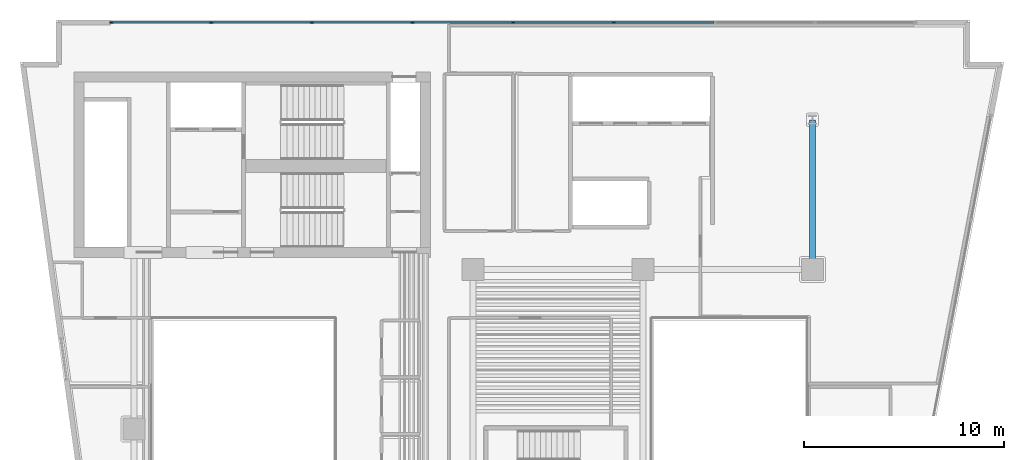
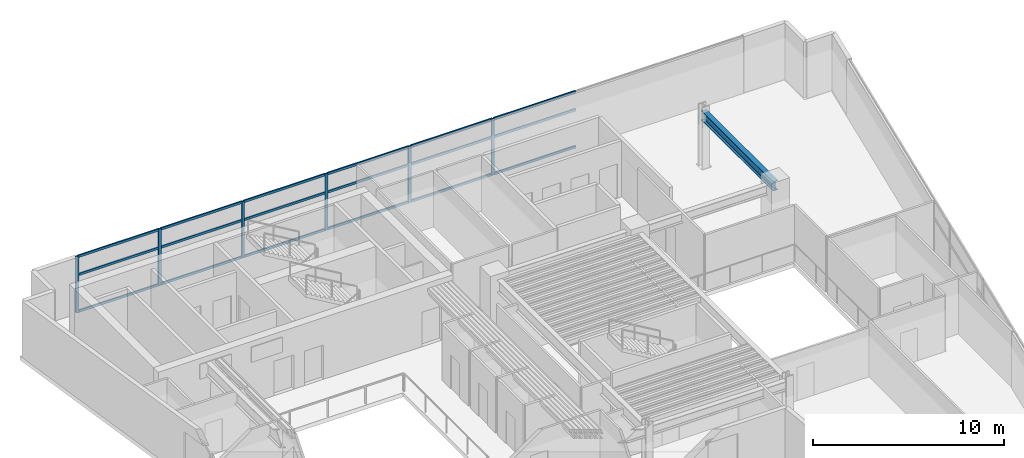
# One storey, part 4 of 14: 24 members, 1 beam, 1 element without a shape of its own.
"""IFC4 building model written with IfcOpenShell, lengths in metres."""

from ifc_helpers import new_model, si_unit, direction, frame, origin, origin_2d, place, context, subcontext, project, spatial, rectangle, i_section, extrude, material, layer, layer_set, material_profile, profile_set, type_object, element, aggregate, save


model = new_model("IFC4")

# Units and contexts
model_context = context("Model", 3, precision=1e-05, world=origin(), true_north=direction((0.0, 1.0)))
body_context = subcontext(model_context, "Body", "Model", "MODEL_VIEW")
ifc_project = project(units=[si_unit("LENGTHUNIT", "METRE"), si_unit("AREAUNIT", "SQUARE_METRE"), si_unit("VOLUMEUNIT", "CUBIC_METRE"), si_unit("PLANEANGLEUNIT", "RADIAN"), si_unit("MASSUNIT", "GRAM", prefix="KILO")], contexts=[model_context])

# Site, building, storey
site_placement = place(None, origin())
site = spatial("IfcSite", under=ifc_project, at=site_placement, CompositionType="ELEMENT")
building_placement = place(site_placement, origin())
building = spatial("IfcBuilding", under=site, at=building_placement, Name="Caeloran Harvest Quay", CompositionType="ELEMENT")
storey_placement = place(building_placement, frame((0.0, 0.0, 174.60009765625)))
storey = spatial("IfcBuildingStorey", under=building, at=storey_placement, Name="L41", CompositionType="ELEMENT", Elevation=174.60009765625)

# Beam
ifc_material_1 = material(Name="Steel S355J2", Category="steel")
ifc_material_profile_1 = material_profile(ifc_material_1, i_section(OverallWidth=0.300048828125, OverallDepth=0.60009765625, WebThickness=0.015380859375, FlangeThickness=0.030029296875, FilletRadius=0.027099609375, at=origin_2d()), Name="HE 600 B")
ifc_profile_set_1 = profile_set([ifc_material_profile_1], Name="Steel S355J2")
beam_type = type_object("IfcBeamType", Name="BM-PG-3-HE_600_B", PredefinedType="BEAM", material=ifc_profile_set_1)
beam_placement = place(storey_placement, frame((42.5, 31.0, 3.2998046875), z_axis=(0.0, 1.0, 0.0), x_axis=(-1.0, 0.0, 0.0)))
element("IfcBeam", 1, at=beam_placement, inside=storey, type_object=beam_type, Name="L41 Primary North-South Girder X=42.5", PredefinedType="BEAM", context=body_context, shape_type="SweptSolid", body=[
    extrude(i_section(OverallWidth=0.300048828125, OverallDepth=0.60009765625, WebThickness=0.015380859375, FlangeThickness=0.030029296875, FilletRadius=0.027099609375, at=origin_2d()), origin(), (0.0, 0.0, 1.0), 7.5),
])

# Curtain wall, members
ifc_material_2 = material(Name="Aluminium 6063-T6 and Low-E Glazing", Category="aluminium")
ifc_layer = layer(ifc_material_2, 0.22998046875, Name="Aluminium 6063-T6 and Low-E Glazing")
ifc_layer_set = layer_set([ifc_layer], Name="Aluminium 6063-T6 and Low-E Glazing")
curtain_wall_type = type_object("IfcCurtainWallType", Name="CW-SYS-CW-6", PredefinedType="USERDEFINED", material=ifc_layer_set)
curtain_wall_placement = place(storey_placement, origin())
curtain_wall = element("IfcCurtainWall", 2, at=curtain_wall_placement, inside=storey, type_object=curtain_wall_type, Name="L41 Unitised Curtain Wall CW-6 Run 6", ObjectType="CURTAIN_WALL", PredefinedType="USERDEFINED")
ifc_material_3 = material(Name="Aluminium 6063-T6", Category="aluminium")
ifc_material_profile_2 = material_profile(ifc_material_3, rectangle(XDim=0.080078125, YDim=0.179931640625, at=origin_2d()), Name="CW-MULLION-180")
ifc_profile_set_2 = profile_set([ifc_material_profile_2], Name="Aluminium 6063-T6")
member_type_1 = type_object("IfcMemberType", Name="CW-MULLION-180", PredefinedType="MULLION", material=ifc_profile_set_2)
member_1_placement = place(storey_placement, frame((7.3701171875, 43.3701171875, 0.0), z_axis=(0.0, 0.0, 1.0), x_axis=(0.0, 1.0, 0.0)))
member_1 = element("IfcMember", 3, at=member_1_placement, type_object=member_type_1, Name="CW-6 mullion 1", PredefinedType="MULLION", context=body_context, shape_type="SweptSolid", body=[
    extrude(rectangle(XDim=0.080078125, YDim=0.179931640625, at=origin_2d()), origin(), (0.0, 0.0, 1.0), 3.599853515625),
])
member_2_placement = place(storey_placement, frame((12.37255859375, 43.3701171875, 0.0), z_axis=(0.0, 0.0, 1.0), x_axis=(0.0, 1.0, 0.0)))
member_2 = element("IfcMember", 4, at=member_2_placement, type_object=member_type_1, Name="CW-6 mullion 2", PredefinedType="MULLION", context=body_context, shape_type="SweptSolid", body=[
    extrude(rectangle(XDim=0.080078125, YDim=0.179931640625, at=origin_2d()), origin(), (0.0, 0.0, 1.0), 3.599853515625),
])
member_3_placement = place(storey_placement, frame((17.4150390625, 43.3701171875, 0.0), z_axis=(0.0, 0.0, 1.0), x_axis=(0.0, 1.0, 0.0)))
member_3 = element("IfcMember", 5, at=member_3_placement, type_object=member_type_1, Name="CW-6 mullion 3", PredefinedType="MULLION", context=body_context, shape_type="SweptSolid", body=[
    extrude(rectangle(XDim=0.080078125, YDim=0.179931640625, at=origin_2d()), origin(), (0.0, 0.0, 1.0), 3.599853515625),
])
member_4_placement = place(storey_placement, frame((22.45751953125, 43.3701171875, 0.0), z_axis=(0.0, 0.0, 1.0), x_axis=(0.0, 1.0, 0.0)))
member_4 = element("IfcMember", 6, at=member_4_placement, type_object=member_type_1, Name="CW-6 mullion 4", PredefinedType="MULLION", context=body_context, shape_type="SweptSolid", body=[
    extrude(rectangle(XDim=0.080078125, YDim=0.179931640625, at=origin_2d()), origin(), (0.0, 0.0, 1.0), 3.599853515625),
])
member_5_placement = place(storey_placement, frame((27.5, 43.3701171875, 0.0), z_axis=(0.0, 0.0, 1.0), x_axis=(0.0, 1.0, 0.0)))
member_5 = element("IfcMember", 7, at=member_5_placement, type_object=member_type_1, Name="CW-6 mullion 5", PredefinedType="MULLION", context=body_context, shape_type="SweptSolid", body=[
    extrude(rectangle(XDim=0.080078125, YDim=0.179931640625, at=origin_2d()), origin(), (0.0, 0.0, 1.0), 3.599853515625),
])
member_6_placement = place(storey_placement, frame((32.54248046875, 43.3701171875, 0.0), z_axis=(0.0, 0.0, 1.0), x_axis=(0.0, 1.0, 0.0)))
member_6 = element("IfcMember", 8, at=member_6_placement, type_object=member_type_1, Name="CW-6 mullion 6", PredefinedType="MULLION", context=body_context, shape_type="SweptSolid", body=[
    extrude(rectangle(XDim=0.080078125, YDim=0.179931640625, at=origin_2d()), origin(), (0.0, 0.0, 1.0), 3.599853515625),
])
ifc_material_profile_3 = material_profile(ifc_material_3, rectangle(XDim=0.080078125, YDim=0.14990234375, at=origin_2d()), Name="CW-TRANSOM-150")
ifc_profile_set_3 = profile_set([ifc_material_profile_3], Name="Aluminium 6063-T6")
member_type_2 = type_object("IfcMemberType", Name="CW-TRANSOM-150", PredefinedType="USERDEFINED", material=ifc_profile_set_3)
member_7_placement = place(storey_placement, frame((7.409912109375, 43.3701171875, 0.039794921875), z_axis=(1.0, 0.0, 0.0), x_axis=(0.0, 1.0, 0.0)))
member_7 = element("IfcMember", 9, at=member_7_placement, type_object=member_type_2, Name="CW-6 transom 1.1", ObjectType="TRANSOM", PredefinedType="USERDEFINED", context=body_context, shape_type="SweptSolid", body=[
    extrude(rectangle(XDim=0.080078125, YDim=0.14990234375, at=origin_2d()), origin(), (0.0, 0.0, 1.0), 4.922607421875),
])
member_8_placement = place(storey_placement, frame((7.409912109375, 43.3701171875, 2.39990234375), z_axis=(1.0, 0.0, 0.0), x_axis=(0.0, 1.0, 0.0)))
member_8 = element("IfcMember", 10, at=member_8_placement, type_object=member_type_2, Name="CW-6 transom 1.2", ObjectType="TRANSOM", PredefinedType="USERDEFINED", context=body_context, shape_type="SweptSolid", body=[
    extrude(rectangle(XDim=0.080078125, YDim=0.14990234375, at=origin_2d()), origin(), (0.0, 0.0, 1.0), 4.922607421875),
])
member_9_placement = place(storey_placement, frame((7.409912109375, 43.3701171875, 3.559814453125), z_axis=(1.0, 0.0, 0.0), x_axis=(0.0, 1.0, 0.0)))
member_9 = element("IfcMember", 11, at=member_9_placement, type_object=member_type_2, Name="CW-6 transom 1.3", ObjectType="TRANSOM", PredefinedType="USERDEFINED", context=body_context, shape_type="SweptSolid", body=[
    extrude(rectangle(XDim=0.080078125, YDim=0.14990234375, at=origin_2d()), origin(), (0.0, 0.0, 1.0), 4.922607421875),
])
member_10_placement = place(storey_placement, frame((12.41259765625, 43.3701171875, 0.039794921875), z_axis=(1.0, 0.0, 0.0), x_axis=(0.0, 1.0, 0.0)))
member_10 = element("IfcMember", 12, at=member_10_placement, type_object=member_type_2, Name="CW-6 transom 2.1", ObjectType="TRANSOM", PredefinedType="USERDEFINED", context=body_context, shape_type="SweptSolid", body=[
    extrude(rectangle(XDim=0.080078125, YDim=0.14990234375, at=origin_2d()), origin(), (0.0, 0.0, 1.0), 4.96240234375),
])
member_11_placement = place(storey_placement, frame((12.41259765625, 43.3701171875, 2.39990234375), z_axis=(1.0, 0.0, 0.0), x_axis=(0.0, 1.0, 0.0)))
member_11 = element("IfcMember", 13, at=member_11_placement, type_object=member_type_2, Name="CW-6 transom 2.2", ObjectType="TRANSOM", PredefinedType="USERDEFINED", context=body_context, shape_type="SweptSolid", body=[
    extrude(rectangle(XDim=0.080078125, YDim=0.14990234375, at=origin_2d()), origin(), (0.0, 0.0, 1.0), 4.96240234375),
])
member_12_placement = place(storey_placement, frame((12.41259765625, 43.3701171875, 3.559814453125), z_axis=(1.0, 0.0, 0.0), x_axis=(0.0, 1.0, 0.0)))
member_12 = element("IfcMember", 14, at=member_12_placement, type_object=member_type_2, Name="CW-6 transom 2.3", ObjectType="TRANSOM", PredefinedType="USERDEFINED", context=body_context, shape_type="SweptSolid", body=[
    extrude(rectangle(XDim=0.080078125, YDim=0.14990234375, at=origin_2d()), origin(), (0.0, 0.0, 1.0), 4.96240234375),
])
member_13_placement = place(storey_placement, frame((17.455078125, 43.3701171875, 0.039794921875), z_axis=(1.0, 0.0, 0.0), x_axis=(0.0, 1.0, 0.0)))
member_13 = element("IfcMember", 15, at=member_13_placement, type_object=member_type_2, Name="CW-6 transom 3.1", ObjectType="TRANSOM", PredefinedType="USERDEFINED", context=body_context, shape_type="SweptSolid", body=[
    extrude(rectangle(XDim=0.080078125, YDim=0.14990234375, at=origin_2d()), origin(), (0.0, 0.0, 1.0), 4.96240234375),
])
member_14_placement = place(storey_placement, frame((17.455078125, 43.3701171875, 2.39990234375), z_axis=(1.0, 0.0, 0.0), x_axis=(0.0, 1.0, 0.0)))
member_14 = element("IfcMember", 16, at=member_14_placement, type_object=member_type_2, Name="CW-6 transom 3.2", ObjectType="TRANSOM", PredefinedType="USERDEFINED", context=body_context, shape_type="SweptSolid", body=[
    extrude(rectangle(XDim=0.080078125, YDim=0.14990234375, at=origin_2d()), origin(), (0.0, 0.0, 1.0), 4.96240234375),
])
member_15_placement = place(storey_placement, frame((17.455078125, 43.3701171875, 3.559814453125), z_axis=(1.0, 0.0, 0.0), x_axis=(0.0, 1.0, 0.0)))
member_15 = element("IfcMember", 17, at=member_15_placement, type_object=member_type_2, Name="CW-6 transom 3.3", ObjectType="TRANSOM", PredefinedType="USERDEFINED", context=body_context, shape_type="SweptSolid", body=[
    extrude(rectangle(XDim=0.080078125, YDim=0.14990234375, at=origin_2d()), origin(), (0.0, 0.0, 1.0), 4.96240234375),
])
member_16_placement = place(storey_placement, frame((22.49755859375, 43.3701171875, 0.039794921875), z_axis=(1.0, 0.0, 0.0), x_axis=(0.0, 1.0, 0.0)))
member_16 = element("IfcMember", 18, at=member_16_placement, type_object=member_type_2, Name="CW-6 transom 4.1", ObjectType="TRANSOM", PredefinedType="USERDEFINED", context=body_context, shape_type="SweptSolid", body=[
    extrude(rectangle(XDim=0.080078125, YDim=0.14990234375, at=origin_2d()), origin(), (0.0, 0.0, 1.0), 4.96240234375),
])
member_17_placement = place(storey_placement, frame((22.49755859375, 43.3701171875, 2.39990234375), z_axis=(1.0, 0.0, 0.0), x_axis=(0.0, 1.0, 0.0)))
member_17 = element("IfcMember", 19, at=member_17_placement, type_object=member_type_2, Name="CW-6 transom 4.2", ObjectType="TRANSOM", PredefinedType="USERDEFINED", context=body_context, shape_type="SweptSolid", body=[
    extrude(rectangle(XDim=0.080078125, YDim=0.14990234375, at=origin_2d()), origin(), (0.0, 0.0, 1.0), 4.96240234375),
])
member_18_placement = place(storey_placement, frame((22.49755859375, 43.3701171875, 3.559814453125), z_axis=(1.0, 0.0, 0.0), x_axis=(0.0, 1.0, 0.0)))
member_18 = element("IfcMember", 20, at=member_18_placement, type_object=member_type_2, Name="CW-6 transom 4.3", ObjectType="TRANSOM", PredefinedType="USERDEFINED", context=body_context, shape_type="SweptSolid", body=[
    extrude(rectangle(XDim=0.080078125, YDim=0.14990234375, at=origin_2d()), origin(), (0.0, 0.0, 1.0), 4.96240234375),
])
member_19_placement = place(storey_placement, frame((27.5400390625, 43.3701171875, 0.039794921875), z_axis=(1.0, 0.0, 0.0), x_axis=(0.0, 1.0, 0.0)))
member_19 = element("IfcMember", 21, at=member_19_placement, type_object=member_type_2, Name="CW-6 transom 5.1", ObjectType="TRANSOM", PredefinedType="USERDEFINED", context=body_context, shape_type="SweptSolid", body=[
    extrude(rectangle(XDim=0.080078125, YDim=0.14990234375, at=origin_2d()), origin(), (0.0, 0.0, 1.0), 4.96240234375),
])
member_20_placement = place(storey_placement, frame((27.5400390625, 43.3701171875, 2.39990234375), z_axis=(1.0, 0.0, 0.0), x_axis=(0.0, 1.0, 0.0)))
member_20 = element("IfcMember", 22, at=member_20_placement, type_object=member_type_2, Name="CW-6 transom 5.2", ObjectType="TRANSOM", PredefinedType="USERDEFINED", context=body_context, shape_type="SweptSolid", body=[
    extrude(rectangle(XDim=0.080078125, YDim=0.14990234375, at=origin_2d()), origin(), (0.0, 0.0, 1.0), 4.96240234375),
])
member_21_placement = place(storey_placement, frame((27.5400390625, 43.3701171875, 3.559814453125), z_axis=(1.0, 0.0, 0.0), x_axis=(0.0, 1.0, 0.0)))
member_21 = element("IfcMember", 23, at=member_21_placement, type_object=member_type_2, Name="CW-6 transom 5.3", ObjectType="TRANSOM", PredefinedType="USERDEFINED", context=body_context, shape_type="SweptSolid", body=[
    extrude(rectangle(XDim=0.080078125, YDim=0.14990234375, at=origin_2d()), origin(), (0.0, 0.0, 1.0), 4.96240234375),
])
member_22_placement = place(storey_placement, frame((32.58251953125, 43.3701171875, 0.039794921875), z_axis=(1.0, 0.0, 0.0), x_axis=(0.0, 1.0, 0.0)))
member_22 = element("IfcMember", 24, at=member_22_placement, type_object=member_type_2, Name="CW-6 transom 6.1", ObjectType="TRANSOM", PredefinedType="USERDEFINED", context=body_context, shape_type="SweptSolid", body=[
    extrude(rectangle(XDim=0.080078125, YDim=0.14990234375, at=origin_2d()), origin(), (0.0, 0.0, 1.0), 4.96240234375),
])
member_23_placement = place(storey_placement, frame((32.58251953125, 43.3701171875, 2.39990234375), z_axis=(1.0, 0.0, 0.0), x_axis=(0.0, 1.0, 0.0)))
member_23 = element("IfcMember", 25, at=member_23_placement, type_object=member_type_2, Name="CW-6 transom 6.2", ObjectType="TRANSOM", PredefinedType="USERDEFINED", context=body_context, shape_type="SweptSolid", body=[
    extrude(rectangle(XDim=0.080078125, YDim=0.14990234375, at=origin_2d()), origin(), (0.0, 0.0, 1.0), 4.96240234375),
])
member_24_placement = place(storey_placement, frame((32.58251953125, 43.3701171875, 3.559814453125), z_axis=(1.0, 0.0, 0.0), x_axis=(0.0, 1.0, 0.0)))
member_24 = element("IfcMember", 26, at=member_24_placement, type_object=member_type_2, Name="CW-6 transom 6.3", ObjectType="TRANSOM", PredefinedType="USERDEFINED", context=body_context, shape_type="SweptSolid", body=[
    extrude(rectangle(XDim=0.080078125, YDim=0.14990234375, at=origin_2d()), origin(), (0.0, 0.0, 1.0), 4.96240234375),
])
aggregate(curtain_wall, [member_1, member_2, member_3, member_4, member_5, member_6, member_7, member_8, member_9, member_10, member_11, member_12, member_13, member_14, member_15, member_16, member_17, member_18, member_19, member_20, member_21, member_22, member_23, member_24])

save(model, "model.ifc")
